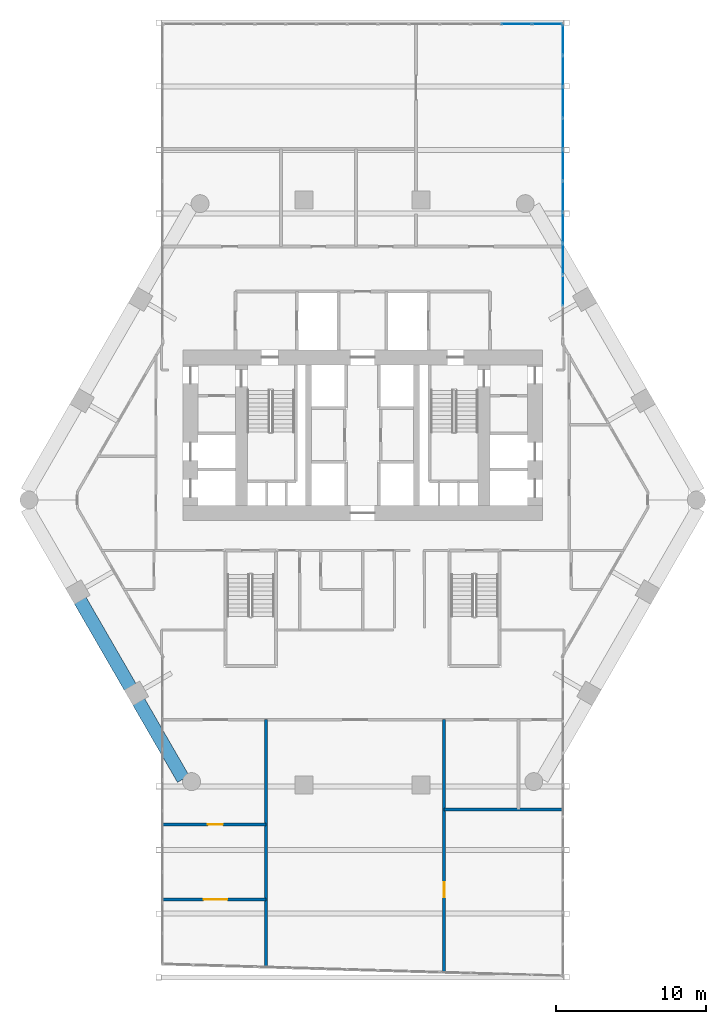
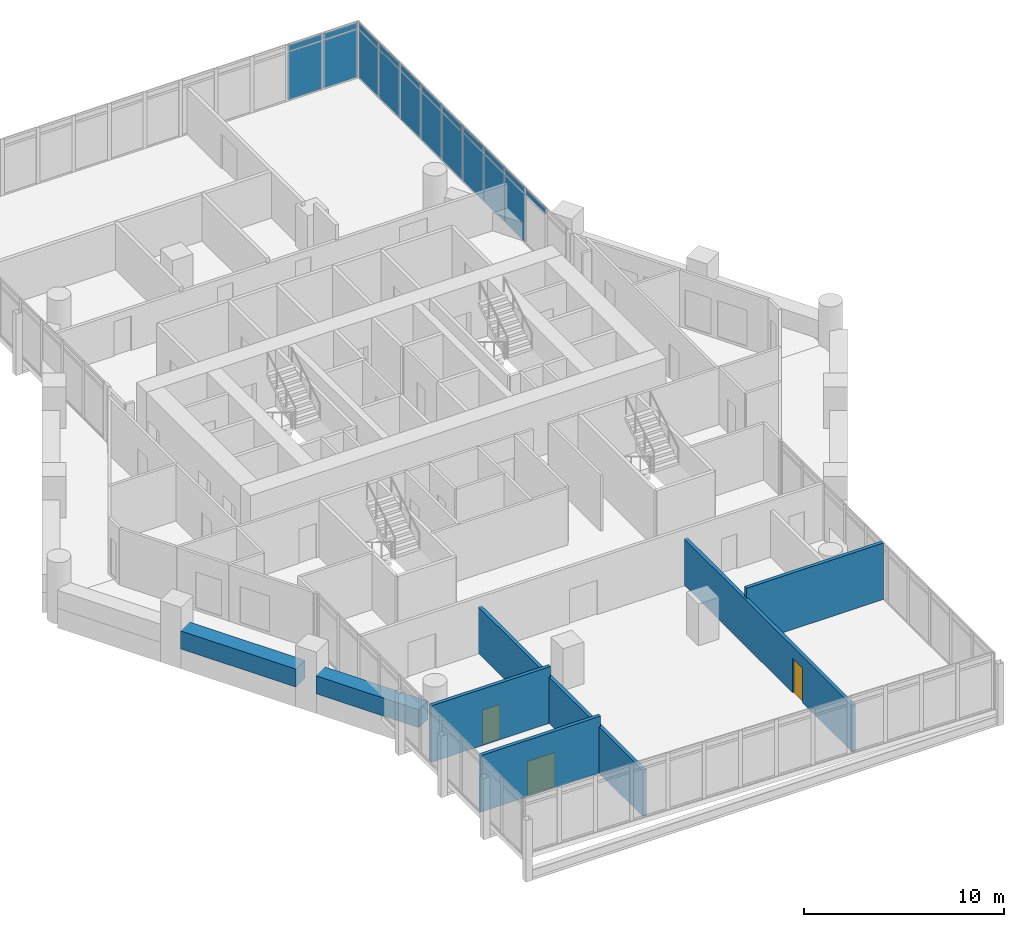
# One storey, part 22 of 28: 21 plates, 7 walls, 3 doors, 3 openings, 2 elements without a shape of their own.
"""IFC4 building model written with IfcOpenShell, lengths in metres."""

from ifc_helpers import new_model, si_unit, direction, frame, frame_2d, origin, origin_2d, place, context, subcontext, project, spatial, rectangle, extrude, material, layer, layer_set, type_object, element, fill, aggregate, save


model = new_model("IFC4")

# Units and contexts
model_context = context("Model", 3, precision=1e-05, world=origin(), true_north=direction((0.0, 1.0)))
body_context = subcontext(model_context, "Body", "Model", "MODEL_VIEW")
ifc_project = project(units=[si_unit("LENGTHUNIT", "METRE"), si_unit("AREAUNIT", "SQUARE_METRE"), si_unit("VOLUMEUNIT", "CUBIC_METRE"), si_unit("PLANEANGLEUNIT", "RADIAN"), si_unit("MASSUNIT", "GRAM", prefix="KILO")], contexts=[model_context])

# Site, building, storey
site_placement = place(None, origin())
site = spatial("IfcSite", under=ifc_project, at=site_placement, CompositionType="ELEMENT")
building_placement = place(site_placement, origin())
building = spatial("IfcBuilding", under=site, at=building_placement, Name="Ostrander Bayou Hotel Tower", CompositionType="ELEMENT")
storey_placement = place(building_placement, frame((0.0, 0.0, 100.5)))
storey = spatial("IfcBuildingStorey", under=building, at=storey_placement, Name="L25", CompositionType="ELEMENT", Elevation=100.5)

# Curtain wall, plates
ifc_material_1 = material(Name="Aluminium and clear glass", Category="aluminium")
curtain_wall_type = type_object("IfcCurtainWallType", Name="CW-BAR glazed wall", PredefinedType="NOTDEFINED", material=ifc_material_1)
curtain_wall_1_placement = place(storey_placement, origin())
curtain_wall_1 = element("IfcCurtainWall", 1, at=curtain_wall_1_placement, inside=storey, type_object=curtain_wall_type, Name="CW-BAR L25:SB2N:T", PredefinedType="NOTDEFINED")
ifc_material_2 = material(Name="Clear laminated glass", Category="glass")
ifc_layer_1 = layer(ifc_material_2, 0.028076171875)
ifc_layer_set_1 = layer_set([ifc_layer_1], Name="CW-BR glazing panel 28 mm")
plate_type = type_object("IfcPlateType", Name="CW-BR glazing panel 28 mm", PredefinedType="CURTAIN_PANEL", material=ifc_layer_set_1)
plate_1_placement = place(storey_placement, frame((10.282470703125, 31.4453125, 0.06005859375), z_axis=(0.0, 0.0, 1.0), x_axis=(1.0, 0.0, 0.0)))
plate_1 = element("IfcPlate", 2, at=plate_1_placement, type_object=plate_type, Name="CW-BAR panel 12.1", PredefinedType="CURTAIN_PANEL", context=body_context, shape_type="SweptSolid", body=[
    extrude(rectangle(XDim=1.99658203125, YDim=0.028076171875, at=origin_2d()), origin(), (0.0, 0.0, 1.0), 2.909912109375),
])
plate_2_placement = place(storey_placement, frame((10.282470703125, 31.4453125, 3.02978515625), z_axis=(0.0, 0.0, 1.0), x_axis=(1.0, 0.0, 0.0)))
plate_2 = element("IfcPlate", 3, at=plate_2_placement, type_object=plate_type, Name="CW-BAR panel 12.2", PredefinedType="CURTAIN_PANEL", context=body_context, shape_type="SweptSolid", body=[
    extrude(rectangle(XDim=1.99658203125, YDim=0.028076171875, at=origin_2d()), origin(), (0.0, 0.0, 1.0), 0.360107421875),
])
plate_3_placement = place(storey_placement, frame((12.323974609375, 31.4453125, 0.06005859375), z_axis=(0.0, 0.0, 1.0), x_axis=(1.0, 0.0, 0.0)))
plate_3 = element("IfcPlate", 4, at=plate_3_placement, type_object=plate_type, Name="CW-BAR panel 13.1", PredefinedType="CURTAIN_PANEL", context=body_context, shape_type="SweptSolid", body=[
    extrude(rectangle(XDim=1.966552734375, YDim=0.028076171875, at=origin_2d()), origin(), (0.0, 0.0, 1.0), 2.909912109375),
])
plate_4_placement = place(storey_placement, frame((12.323974609375, 31.4453125, 3.02978515625), z_axis=(0.0, 0.0, 1.0), x_axis=(1.0, 0.0, 0.0)))
plate_4 = element("IfcPlate", 5, at=plate_4_placement, type_object=plate_type, Name="CW-BAR panel 13.2", PredefinedType="CURTAIN_PANEL", context=body_context, shape_type="SweptSolid", body=[
    extrude(rectangle(XDim=1.966552734375, YDim=0.028076171875, at=origin_2d()), origin(), (0.0, 0.0, 1.0), 0.360107421875),
])
aggregate(curtain_wall_1, [plate_1, plate_2, plate_3, plate_4])

curtain_wall_2_placement = place(storey_placement, origin())
curtain_wall_2 = element("IfcCurtainWall", 6, at=curtain_wall_2_placement, inside=storey, type_object=curtain_wall_type, Name="CW-BAR L25:SB2N:W", PredefinedType="NOTDEFINED")
plate_5_placement = place(storey_placement, frame((13.3671875, 13.65869140625, 3.02978515625), z_axis=(0.0, 0.0, 1.0), x_axis=(0.0, 1.0, 0.0)))
plate_5 = element("IfcPlate", 7, at=plate_5_placement, type_object=plate_type, Name="CW-BAR panel 2.2", PredefinedType="CURTAIN_PANEL", context=body_context, shape_type="SweptSolid", body=[
    extrude(rectangle(XDim=2.032470703125, YDim=0.028076171875, at=origin_2d()), origin(), (0.0, 0.0, 1.0), 0.360107421875),
])
plate_6_placement = place(storey_placement, frame((13.3671875, 15.75146484375, 0.06005859375), z_axis=(0.0, 0.0, 1.0), x_axis=(0.0, 1.0, 0.0)))
plate_6 = element("IfcPlate", 8, at=plate_6_placement, type_object=plate_type, Name="CW-BAR panel 3.1", PredefinedType="CURTAIN_PANEL", context=body_context, shape_type="SweptSolid", body=[
    extrude(rectangle(XDim=2.032470703125, YDim=0.028076171875, at=origin_2d()), origin(), (0.0, 0.0, 1.0), 2.909912109375),
])
plate_7_placement = place(storey_placement, frame((13.3671875, 15.75146484375, 3.02978515625), z_axis=(0.0, 0.0, 1.0), x_axis=(0.0, 1.0, 0.0)))
plate_7 = element("IfcPlate", 9, at=plate_7_placement, type_object=plate_type, Name="CW-BAR panel 3.2", PredefinedType="CURTAIN_PANEL", context=body_context, shape_type="SweptSolid", body=[
    extrude(rectangle(XDim=2.032470703125, YDim=0.028076171875, at=origin_2d()), origin(), (0.0, 0.0, 1.0), 0.360107421875),
])
plate_8_placement = place(storey_placement, frame((13.3671875, 17.843994140625, 0.06005859375), z_axis=(0.0, 0.0, 1.0), x_axis=(0.0, 1.0, 0.0)))
plate_8 = element("IfcPlate", 10, at=plate_8_placement, type_object=plate_type, Name="CW-BAR panel 4.1", PredefinedType="CURTAIN_PANEL", context=body_context, shape_type="SweptSolid", body=[
    extrude(rectangle(XDim=2.032470703125, YDim=0.028076171875, at=origin_2d()), origin(), (0.0, 0.0, 1.0), 2.909912109375),
])
plate_9_placement = place(storey_placement, frame((13.3671875, 17.843994140625, 3.02978515625), z_axis=(0.0, 0.0, 1.0), x_axis=(0.0, 1.0, 0.0)))
plate_9 = element("IfcPlate", 11, at=plate_9_placement, type_object=plate_type, Name="CW-BAR panel 4.2", PredefinedType="CURTAIN_PANEL", context=body_context, shape_type="SweptSolid", body=[
    extrude(rectangle(XDim=2.032470703125, YDim=0.028076171875, at=origin_2d()), origin(), (0.0, 0.0, 1.0), 0.360107421875),
])
plate_10_placement = place(storey_placement, frame((13.3671875, 19.9365234375, 0.06005859375), z_axis=(0.0, 0.0, 1.0), x_axis=(0.0, 1.0, 0.0)))
plate_10 = element("IfcPlate", 12, at=plate_10_placement, type_object=plate_type, Name="CW-BAR panel 5.1", PredefinedType="CURTAIN_PANEL", context=body_context, shape_type="SweptSolid", body=[
    extrude(rectangle(XDim=2.032470703125, YDim=0.028076171875, at=origin_2d()), origin(), (0.0, 0.0, 1.0), 2.909912109375),
])
plate_11_placement = place(storey_placement, frame((13.3671875, 19.9365234375, 3.02978515625), z_axis=(0.0, 0.0, 1.0), x_axis=(0.0, 1.0, 0.0)))
plate_11 = element("IfcPlate", 13, at=plate_11_placement, type_object=plate_type, Name="CW-BAR panel 5.2", PredefinedType="CURTAIN_PANEL", context=body_context, shape_type="SweptSolid", body=[
    extrude(rectangle(XDim=2.032470703125, YDim=0.028076171875, at=origin_2d()), origin(), (0.0, 0.0, 1.0), 0.360107421875),
])
plate_12_placement = place(storey_placement, frame((13.3671875, 22.029052734375, 0.06005859375), z_axis=(0.0, 0.0, 1.0), x_axis=(0.0, 1.0, 0.0)))
plate_12 = element("IfcPlate", 14, at=plate_12_placement, type_object=plate_type, Name="CW-BAR panel 6.1", PredefinedType="CURTAIN_PANEL", context=body_context, shape_type="SweptSolid", body=[
    extrude(rectangle(XDim=2.032470703125, YDim=0.028076171875, at=origin_2d()), origin(), (0.0, 0.0, 1.0), 2.909912109375),
])
plate_13_placement = place(storey_placement, frame((13.3671875, 22.029052734375, 3.02978515625), z_axis=(0.0, 0.0, 1.0), x_axis=(0.0, 1.0, 0.0)))
plate_13 = element("IfcPlate", 15, at=plate_13_placement, type_object=plate_type, Name="CW-BAR panel 6.2", PredefinedType="CURTAIN_PANEL", context=body_context, shape_type="SweptSolid", body=[
    extrude(rectangle(XDim=2.032470703125, YDim=0.028076171875, at=origin_2d()), origin(), (0.0, 0.0, 1.0), 0.360107421875),
])
plate_14_placement = place(storey_placement, frame((13.3671875, 24.12158203125, 0.06005859375), z_axis=(0.0, 0.0, 1.0), x_axis=(0.0, 1.0, 0.0)))
plate_14 = element("IfcPlate", 16, at=plate_14_placement, type_object=plate_type, Name="CW-BAR panel 7.1", PredefinedType="CURTAIN_PANEL", context=body_context, shape_type="SweptSolid", body=[
    extrude(rectangle(XDim=2.032470703125, YDim=0.028076171875, at=origin_2d()), origin(), (0.0, 0.0, 1.0), 2.909912109375),
])
plate_15_placement = place(storey_placement, frame((13.3671875, 24.12158203125, 3.02978515625), z_axis=(0.0, 0.0, 1.0), x_axis=(0.0, 1.0, 0.0)))
plate_15 = element("IfcPlate", 17, at=plate_15_placement, type_object=plate_type, Name="CW-BAR panel 7.2", PredefinedType="CURTAIN_PANEL", context=body_context, shape_type="SweptSolid", body=[
    extrude(rectangle(XDim=2.032470703125, YDim=0.028076171875, at=origin_2d()), origin(), (0.0, 0.0, 1.0), 0.360107421875),
])
plate_16_placement = place(storey_placement, frame((13.3671875, 26.214111328125, 0.06005859375), z_axis=(0.0, 0.0, 1.0), x_axis=(0.0, 1.0, 0.0)))
plate_16 = element("IfcPlate", 18, at=plate_16_placement, type_object=plate_type, Name="CW-BAR panel 8.1", PredefinedType="CURTAIN_PANEL", context=body_context, shape_type="SweptSolid", body=[
    extrude(rectangle(XDim=2.032470703125, YDim=0.028076171875, at=origin_2d()), origin(), (0.0, 0.0, 1.0), 2.909912109375),
])
plate_17_placement = place(storey_placement, frame((13.3671875, 26.214111328125, 3.02978515625), z_axis=(0.0, 0.0, 1.0), x_axis=(0.0, 1.0, 0.0)))
plate_17 = element("IfcPlate", 19, at=plate_17_placement, type_object=plate_type, Name="CW-BAR panel 8.2", PredefinedType="CURTAIN_PANEL", context=body_context, shape_type="SweptSolid", body=[
    extrude(rectangle(XDim=2.032470703125, YDim=0.028076171875, at=origin_2d()), origin(), (0.0, 0.0, 1.0), 0.360107421875),
])
plate_18_placement = place(storey_placement, frame((13.3671875, 28.306640625, 0.06005859375), z_axis=(0.0, 0.0, 1.0), x_axis=(0.0, 1.0, 0.0)))
plate_18 = element("IfcPlate", 20, at=plate_18_placement, type_object=plate_type, Name="CW-BAR panel 9.1", PredefinedType="CURTAIN_PANEL", context=body_context, shape_type="SweptSolid", body=[
    extrude(rectangle(XDim=2.032470703125, YDim=0.028076171875, at=origin_2d()), origin(), (0.0, 0.0, 1.0), 2.909912109375),
])
plate_19_placement = place(storey_placement, frame((13.3671875, 28.306640625, 3.02978515625), z_axis=(0.0, 0.0, 1.0), x_axis=(0.0, 1.0, 0.0)))
plate_19 = element("IfcPlate", 21, at=plate_19_placement, type_object=plate_type, Name="CW-BAR panel 9.2", PredefinedType="CURTAIN_PANEL", context=body_context, shape_type="SweptSolid", body=[
    extrude(rectangle(XDim=2.032470703125, YDim=0.028076171875, at=origin_2d()), origin(), (0.0, 0.0, 1.0), 0.360107421875),
])
plate_20_placement = place(storey_placement, frame((13.3671875, 30.384033203125, 0.06005859375), z_axis=(0.0, 0.0, 1.0), x_axis=(0.0, 1.0, 0.0)))
plate_20 = element("IfcPlate", 22, at=plate_20_placement, type_object=plate_type, Name="CW-BAR panel 10.1", PredefinedType="CURTAIN_PANEL", context=body_context, shape_type="SweptSolid", body=[
    extrude(rectangle(XDim=2.00244140625, YDim=0.028076171875, at=origin_2d()), origin(), (0.0, 0.0, 1.0), 2.909912109375),
])
plate_21_placement = place(storey_placement, frame((13.3671875, 30.384033203125, 3.02978515625), z_axis=(0.0, 0.0, 1.0), x_axis=(0.0, 1.0, 0.0)))
plate_21 = element("IfcPlate", 23, at=plate_21_placement, type_object=plate_type, Name="CW-BAR panel 10.2", PredefinedType="CURTAIN_PANEL", context=body_context, shape_type="SweptSolid", body=[
    extrude(rectangle(XDim=2.00244140625, YDim=0.028076171875, at=origin_2d()), origin(), (0.0, 0.0, 1.0), 0.360107421875),
])
aggregate(curtain_wall_2, [plate_5, plate_6, plate_7, plate_8, plate_9, plate_10, plate_11, plate_12, plate_13, plate_14, plate_15, plate_16, plate_17, plate_18, plate_19, plate_20, plate_21])

# Walls
ifc_material_3 = material(Name="Limestone masonry", Category="masonry")
ifc_layer_2 = layer(ifc_material_3, 0.89990234375)
ifc_layer_set_2 = layer_set([ifc_layer_2], Name="PA2 limestone parapet 900 mm")
wall_type_1 = type_object("IfcWallType", Name="PA2 limestone parapet 900 mm", PredefinedType="PARAPET", material=ifc_layer_set_2)
wall_1_placement = place(storey_placement, frame((-18.85888671875, -7.035400390625, 0.0), z_axis=(0.0, 0.0, 1.0), x_axis=(0.499999023957, -0.866025967302, 0.0)))
element("IfcWall", 24, at=wall_1_placement, inside=storey, type_object=wall_type_1, Name="PA2 L25 SW-2", PredefinedType="PARAPET", context=body_context, shape_type="SweptSolid", body=[
    extrude(rectangle(XDim=6.67333984375, YDim=0.89990234375, at=frame_2d((3.336669921875, 0.0))), origin(), (0.0, 0.0, 1.0), 1.10009765625),
])
wall_2_placement = place(storey_placement, frame((-14.9521484375, -13.802001953125, 0.0), z_axis=(0.0, 0.0, 1.0), x_axis=(0.499988630717, -0.866031967744, 0.0)))
element("IfcWall", 25, at=wall_2_placement, inside=storey, type_object=wall_type_1, Name="PA2 L25 SW-3", PredefinedType="PARAPET", context=body_context, shape_type="SweptSolid", body=[
    extrude(rectangle(XDim=5.954833984375, YDim=0.89990234375, at=frame_2d((2.9775390625, 0.0))), origin(), (0.0, 0.0, 1.0), 1.10009765625),
])

# Wall, opening, door
ifc_material_4 = material(Name="Gypsum board partition", Category="finish")
ifc_layer_3 = layer(ifc_material_4, 0.199951171875)
ifc_layer_set_3 = layer_set([ifc_layer_3], Name="PT3 demising wall 200 mm acoustic double stud, 1 hour")
wall_type_2 = type_object("IfcWallType", Name="PT3 demising wall 200 mm acoustic double stud, 1 hour", PredefinedType="PARTITIONING", material=ifc_layer_set_3)
wall_3_placement = place(storey_placement, frame((-13.34814453125, -27.0, 0.0), z_axis=(0.0, 0.0, 1.0), x_axis=(1.0, 0.0, 0.0)))
wall_3 = element("IfcWall", 26, at=wall_3_placement, inside=storey, type_object=wall_type_2, Name="sw:L25:502", PredefinedType="PARTITIONING", context=body_context, shape_type="SweptSolid", body=[
    extrude(rectangle(XDim=6.906005859375, YDim=0.199951171875, at=frame_2d((3.453125, 0.0))), origin(), (0.0, 0.0, 1.0), 3.449951171875),
])
opening_1_placement = place(wall_3_placement, frame((2.720947265625, 0.0, 0.0)))
opening_1 = element("IfcOpeningElement", 27, at=opening_1_placement, cuts=wall_3, Name="Opening T25-1202", PredefinedType="OPENING", context=body_context, shape_type="SweptSolid", body=[
    extrude(rectangle(XDim=1.60009765625, YDim=2.10009765625, at=frame_2d((0.800048828125, 1.050048828125))), frame((0.0, 0.10009765625, 0.0), z_axis=(0.0, -1.0, 0.0), x_axis=(1.0, 0.0, 0.0)), (0.0, 0.0, 1.0), 0.199951171875),
])
ifc_material_5 = material(Name="Timber door leaf", Category="wood")
door_type_1 = type_object("IfcDoorType", Name="D13 double door 1600 x 2100 mm, 1 hour", OperationType="SINGLE_SWING_LEFT", PredefinedType="DOOR", material=ifc_material_5)
door_1_placement = place(opening_1_placement, origin())
door_1 = element("IfcDoor", 28, at=door_1_placement, inside=storey, type_object=door_type_1, Name="dr:L25:1202", OperationType="DOUBLE_DOOR_SINGLE_SWING", OverallHeight=2.10009765625, OverallWidth=1.60009765625, PredefinedType="DOOR", context=body_context, shape_type="SweptSolid", body=[
    extrude(rectangle(XDim=1.60009765625, YDim=2.10009765625, at=frame_2d((0.800048828125, 1.050048828125))), frame((0.0, 0.02490234375, 0.0), z_axis=(0.0, -1.0, 0.0), x_axis=(1.0, 0.0, 0.0)), (0.0, 0.0, 1.0), 0.050048828125),
])
fill(opening_1, door_1)

wall_4_placement = place(storey_placement, frame((-13.34814453125, -22.0, 0.0), z_axis=(0.0, 0.0, 1.0), x_axis=(1.0, 0.0, 0.0)))
wall_4 = element("IfcWall", 29, at=wall_4_placement, inside=storey, type_object=wall_type_2, Name="sw:L25:503", PredefinedType="PARTITIONING", context=body_context, shape_type="SweptSolid", body=[
    extrude(rectangle(XDim=6.906005859375, YDim=0.199951171875, at=frame_2d((3.453125, 0.0))), origin(), (0.0, 0.0, 1.0), 3.449951171875),
])
opening_2_placement = place(wall_4_placement, frame((3.02099609375, 0.0, 0.0)))
opening_2 = element("IfcOpeningElement", 30, at=opening_2_placement, cuts=wall_4, Name="Opening T25-1201", PredefinedType="OPENING", context=body_context, shape_type="SweptSolid", body=[
    extrude(rectangle(XDim=1.0, YDim=2.10009765625, at=frame_2d((0.5, 1.050048828125))), frame((0.0, 0.10009765625, 0.0), z_axis=(0.0, -1.0, 0.0), x_axis=(1.0, 0.0, 0.0)), (0.0, 0.0, 1.0), 0.199951171875),
])
ifc_material_6 = material(Name="Timber door leaf", Category="wood")
door_type_2 = type_object("IfcDoorType", Name="D9 service door 1000 x 2100 mm, 30 minute", OperationType="SINGLE_SWING_LEFT", PredefinedType="DOOR", material=ifc_material_6)
door_2_placement = place(opening_2_placement, origin())
door_2 = element("IfcDoor", 31, at=door_2_placement, inside=storey, type_object=door_type_2, Name="dr:L25:1201", OperationType="SINGLE_SWING_LEFT", OverallHeight=2.10009765625, OverallWidth=1.0, PredefinedType="DOOR", context=body_context, shape_type="SweptSolid", body=[
    extrude(rectangle(XDim=1.0, YDim=2.10009765625, at=frame_2d((0.5, 1.050048828125))), frame((0.0, 0.02490234375, 0.0), z_axis=(0.0, -1.0, 0.0), x_axis=(1.0, 0.0, 0.0)), (0.0, 0.0, 1.0), 0.050048828125),
])
fill(opening_2, door_2)

# Walls
wall_5_placement = place(storey_placement, frame((5.442138671875, -21.0, 0.0), z_axis=(0.0, 0.0, 1.0), x_axis=(1.0, 0.0, 0.0)))
element("IfcWall", 32, at=wall_5_placement, inside=storey, type_object=wall_type_2, Name="sw:L25:504", PredefinedType="PARTITIONING", context=body_context, shape_type="SweptSolid", body=[
    extrude(rectangle(XDim=7.906005859375, YDim=0.199951171875, at=frame_2d((3.953125, 0.0))), origin(), (0.0, 0.0, 1.0), 3.449951171875),
])
wall_6_placement = place(storey_placement, frame((-6.44189453125, -31.4892578125, 0.0), z_axis=(0.0, 0.0, 1.0), x_axis=(0.0, 1.0, 0.0)))
element("IfcWall", 33, at=wall_6_placement, inside=storey, type_object=wall_type_2, Name="sw:L25:506", PredefinedType="PARTITIONING", context=body_context, shape_type="SweptSolid", body=[
    extrude(rectangle(XDim=16.4892578125, YDim=0.199951171875, at=frame_2d((8.24462890625, 0.0))), origin(), (0.0, 0.0, 1.0), 2.828125),
])

# Wall, opening, door
wall_7_placement = place(storey_placement, frame((5.44189453125, -31.843017578125, 0.0), z_axis=(0.0, 0.0, 1.0), x_axis=(0.0, 1.0, 0.0)))
wall_7 = element("IfcWall", 34, at=wall_7_placement, inside=storey, type_object=wall_type_2, Name="sw:L25:511", PredefinedType="PARTITIONING", context=body_context, shape_type="SweptSolid", body=[
    extrude(rectangle(XDim=16.843017578125, YDim=0.199951171875, at=frame_2d((8.42138671875, 0.0))), origin(), (0.0, 0.0, 1.0), 2.828125),
])
opening_3_placement = place(wall_7_placement, frame((4.97705078125, 0.0, 0.0)))
opening_3 = element("IfcOpeningElement", 35, at=opening_3_placement, cuts=wall_7, Name="Opening T25-1203", PredefinedType="OPENING", context=body_context, shape_type="SweptSolid", body=[
    extrude(rectangle(XDim=1.0, YDim=2.10009765625, at=frame_2d((0.5, 1.050048828125))), frame((0.0, 0.10009765625, 0.0), z_axis=(0.0, -1.0, 0.0), x_axis=(1.0, 0.0, 0.0)), (0.0, 0.0, 1.0), 0.199951171875),
])
door_3_placement = place(opening_3_placement, origin())
door_3 = element("IfcDoor", 36, at=door_3_placement, inside=storey, type_object=door_type_2, Name="dr:L25:1203", OperationType="SINGLE_SWING_LEFT", OverallHeight=2.10009765625, OverallWidth=1.0, PredefinedType="DOOR", context=body_context, shape_type="SweptSolid", body=[
    extrude(rectangle(XDim=1.0, YDim=2.10009765625, at=frame_2d((0.5, 1.050048828125))), frame((0.0, 0.02490234375, 0.0), z_axis=(0.0, -1.0, 0.0), x_axis=(1.0, 0.0, 0.0)), (0.0, 0.0, 1.0), 0.050048828125),
])
fill(opening_3, door_3)

save(model, "model.ifc")
